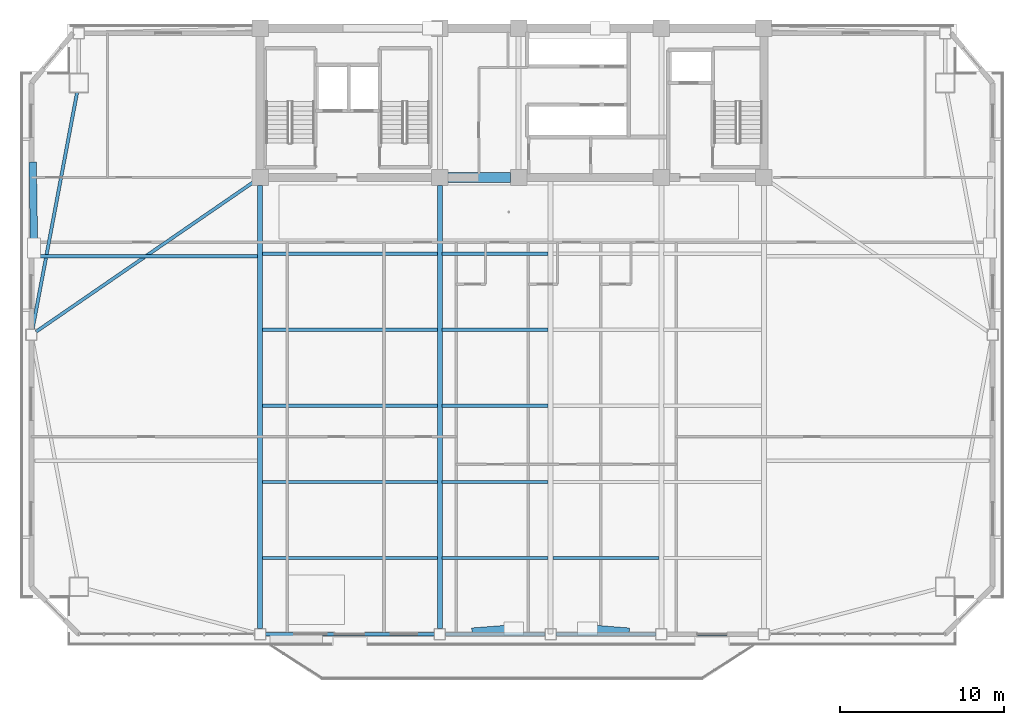
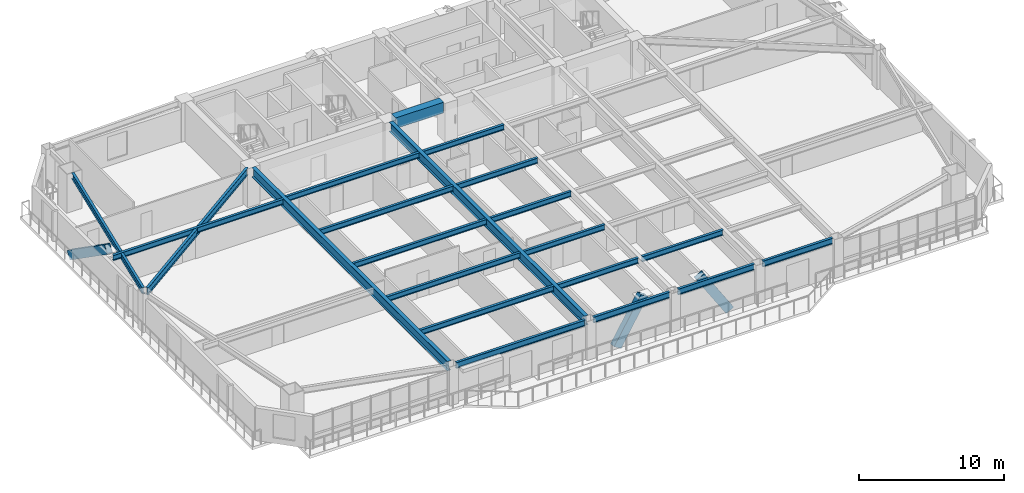
# One storey, part 3 of 15: 21 beams, 3 members.
"""IFC4 building model written with IfcOpenShell, lengths in metres."""

from ifc_helpers import new_model, si_unit, direction, frame, origin, origin_2d, place, context, subcontext, project, spatial, rectangle, hollow_rectangle, i_section, extrude, source, transform, mapped, material, material_profile, profile_set, type_object, element, save


model = new_model("IFC4")

# Units and contexts
model_context = context("Model", 3, precision=1e-05, world=origin(), true_north=direction((0.0, 1.0)))
body_context = subcontext(model_context, "Body", "Model", "MODEL_VIEW")
ifc_project = project(units=[si_unit("LENGTHUNIT", "METRE"), si_unit("AREAUNIT", "SQUARE_METRE"), si_unit("VOLUMEUNIT", "CUBIC_METRE"), si_unit("PLANEANGLEUNIT", "RADIAN"), si_unit("MASSUNIT", "GRAM", prefix="KILO")], contexts=[model_context])

# Site, building, storey
site_placement = place(None, origin())
site = spatial("IfcSite", under=ifc_project, at=site_placement, CompositionType="ELEMENT")
building_placement = place(site_placement, origin())
building = spatial("IfcBuilding", under=site, at=building_placement, Name="Giltprow Tower", CompositionType="ELEMENT")
storey_placement = place(building_placement, frame((0.0, 0.0, 173.699951171875)))
storey = spatial("IfcBuildingStorey", under=building, at=storey_placement, Name="L43", CompositionType="ELEMENT", Elevation=173.699951171875)

# Beams
ifc_material_1 = material(Name="Structural steel Q355B", Category="steel")
ifc_material_profile_1 = material_profile(ifc_material_1, i_section(OverallWidth=0.199951171875, OverallDepth=0.449951171875, WebThickness=0.009033203125, FlangeThickness=0.013916015625, at=origin_2d()), Name="HN 450x200x9x14")
ifc_profile_set_1 = profile_set([ifc_material_profile_1], Name="Structural steel Q355B")
beam_type_1 = type_object("IfcBeamType", Name="BM-JOIST-HN450", PredefinedType="JOIST", material=ifc_profile_set_1)
shared_shape_1 = source(origin(), body_context, "Body", "SweptSolid", [
    extrude(i_section(OverallWidth=0.199951171875, OverallDepth=0.449951171875, WebThickness=0.009033203125, FlangeThickness=0.013916015625, at=origin_2d()), origin(), (0.0, 0.0, 1.0), 10.659912109375),
])
for number, where, z_axis, x_axis, name in (
    (1, (19.9951171875, 14.262939453125, 3.045166015625), (1.0, 0.0, 0.0), (0.0, 1.0, 0.0), "L43 Composite Floor Joist 1-1"),
    (2, (19.9951171875, 18.90087890625, 3.045166015625), (1.0, 0.0, 0.0), (0.0, 1.0, 0.0), "L43 Composite Floor Joist 2-1"),
    (3, (19.9951171875, 23.5380859375, 3.045166015625), (1.0, 0.0, 0.0), (0.0, 1.0, 0.0), "L43 Composite Floor Joist 3-1"),
    (4, (19.9951171875, 28.175048828125, 3.045166015625), (1.0, 0.0, 0.0), (0.0, 1.0, 0.0), "L43 Composite Floor Joist 4-1"),
    (5, (19.9951171875, 32.81298828125, 3.045166015625), (1.0, 0.0, 0.0), (0.0, 1.0, 0.0), "L43 Composite Floor Joist 5-1"),
):
    element("IfcBeam", number, at=place(storey_placement, frame(where, z_axis=z_axis, x_axis=x_axis)), inside=storey, type_object=beam_type_1, Name=name, PredefinedType="JOIST", context=body_context, shape_type="MappedRepresentation", body=[
        mapped(shared_shape_1, transform((0.0, 0.0, 0.0), x_axis=(1.0, 0.0, 0.0), y_axis=(0.0, 1.0, 0.0), z_axis=(0.0, 0.0, 1.0), scale=1.0)),
    ])
shared_shape_2 = source(origin(), body_context, "Body", "SweptSolid", [
    extrude(i_section(OverallWidth=0.199951171875, OverallDepth=0.449951171875, WebThickness=0.009033203125, FlangeThickness=0.013916015625, at=origin_2d()), origin(), (0.0, 0.0, 1.0), 6.4599609375),
])
for number, where, z_axis, x_axis, name in (
    (6, (30.945068359375, 14.262939453125, 3.045166015625), (1.0, 0.0, 0.0), (0.0, 1.0, 0.0), "L43 Composite Floor Joist 1-2"),
    (7, (37.695068359375, 14.262939453125, 3.045166015625), (1.0, 0.0, 0.0), (0.0, 1.0, 0.0), "L43 Composite Floor Joist 1-3"),
    (8, (30.945068359375, 18.90087890625, 3.045166015625), (1.0, 0.0, 0.0), (0.0, 1.0, 0.0), "L43 Composite Floor Joist 2-2"),
    (9, (30.945068359375, 23.5380859375, 3.045166015625), (1.0, 0.0, 0.0), (0.0, 1.0, 0.0), "L43 Composite Floor Joist 3-2"),
    (10, (30.945068359375, 28.175048828125, 3.045166015625), (1.0, 0.0, 0.0), (0.0, 1.0, 0.0), "L43 Composite Floor Joist 4-2"),
    (11, (30.945068359375, 32.81298828125, 3.045166015625), (1.0, 0.0, 0.0), (0.0, 1.0, 0.0), "L43 Composite Floor Joist 5-2"),
):
    element("IfcBeam", number, at=place(storey_placement, frame(where, z_axis=z_axis, x_axis=x_axis)), inside=storey, type_object=beam_type_1, Name=name, PredefinedType="JOIST", context=body_context, shape_type="MappedRepresentation", body=[
        mapped(shared_shape_2, transform((0.0, 0.0, 0.0), x_axis=(1.0, 0.0, 0.0), y_axis=(0.0, 1.0, 0.0), z_axis=(0.0, 0.0, 1.0), scale=1.0)),
    ])
ifc_material_2 = material(Name="Concrete C50", Category="concrete")
ifc_material_profile_2 = material_profile(ifc_material_2, rectangle(XDim=0.60009765625, YDim=0.89990234375, at=origin_2d()), Name="RC 900x600")
ifc_profile_set_2 = profile_set([ifc_material_profile_2], Name="Concrete C50")
beam_type_2 = type_object("IfcBeamType", Name="BM-CPL-RC900", PredefinedType="LINTEL", material=ifc_profile_set_2)
shared_shape_3 = source(origin(), body_context, "Body", "SweptSolid", [
    extrude(rectangle(XDim=0.60009765625, YDim=0.89990234375, at=origin_2d()), origin(), (0.0, 0.0, 1.0), 3.830078125),
])
beam_1_placement = place(storey_placement, frame((31.284912109375, 37.449951171875, 2.820068359375), z_axis=(1.0, 0.0, 0.0), x_axis=(0.0, 1.0, 0.0)))
element("IfcBeam", 12, at=beam_1_placement, inside=storey, type_object=beam_type_2, Name="L43 Core Coupling Beam CB-1", PredefinedType="LINTEL", context=body_context, shape_type="MappedRepresentation", body=[
    mapped(shared_shape_3, transform((0.0, 0.0, 0.0), x_axis=(1.0, 0.0, 0.0), y_axis=(0.0, 1.0, 0.0), z_axis=(0.0, 0.0, 1.0), scale=1.0)),
])
shared_shape_4 = source(origin(), body_context, "Body", "SweptSolid", [
    extrude(i_section(OverallWidth=0.199951171875, OverallDepth=0.449951171875, WebThickness=0.009033203125, FlangeThickness=0.013916015625, at=origin_2d()), origin(), (0.0, 0.0, 1.0), 13.566162109375),
])
beam_2_placement = place(storey_placement, frame((6.138916015625, 32.656982421875, 3.045166015625), z_axis=(1.0, 0.0, 0.0), x_axis=(0.0, 1.0, 0.0)))
element("IfcBeam", 13, at=beam_2_placement, inside=storey, type_object=beam_type_1, Name="L43 West Wing Floor Joist 2", PredefinedType="JOIST", context=body_context, shape_type="MappedRepresentation", body=[
    mapped(shared_shape_4, transform((0.0, 0.0, 0.0), x_axis=(1.0, 0.0, 0.0), y_axis=(0.0, 1.0, 0.0), z_axis=(0.0, 0.0, 1.0), scale=1.0)),
])
ifc_material_profile_3 = material_profile(ifc_material_1, i_section(OverallWidth=0.199951171875, OverallDepth=0.5, WebThickness=0.010009765625, FlangeThickness=0.01611328125, at=origin_2d()), Name="HN 500x200x10x16")
ifc_profile_set_3 = profile_set([ifc_material_profile_3], Name="Structural steel Q355B")
beam_type_3 = type_object("IfcBeamType", Name="BM-SPAN-HN500", PredefinedType="SPANDREL", material=ifc_profile_set_3)
shared_shape_5 = source(origin(), body_context, "Body", "SweptSolid", [
    extrude(i_section(OverallWidth=0.199951171875, OverallDepth=0.5, WebThickness=0.010009765625, FlangeThickness=0.01611328125, at=origin_2d()), origin(), (0.0, 0.0, 1.0), 10.280029296875),
])
beam_3_placement = place(storey_placement, frame((20.18505859375, 9.6259765625, 3.02001953125), z_axis=(1.0, 0.0, 0.0), x_axis=(0.0, 1.0, 0.0)))
element("IfcBeam", 14, at=beam_3_placement, inside=storey, type_object=beam_type_3, Name="L43 Perimeter Spandrel Beam S1-S2", PredefinedType="SPANDREL", context=body_context, shape_type="MappedRepresentation", body=[
    mapped(shared_shape_5, transform((0.0, 0.0, 0.0), x_axis=(1.0, 0.0, 0.0), y_axis=(0.0, 1.0, 0.0), z_axis=(0.0, 0.0, 1.0), scale=1.0)),
])
shared_shape_6 = source(origin(), body_context, "Body", "SweptSolid", [
    extrude(i_section(OverallWidth=0.199951171875, OverallDepth=0.5, WebThickness=0.010009765625, FlangeThickness=0.01611328125, at=origin_2d()), origin(), (0.0, 0.0, 1.0), 6.080078125),
])
for number, where, z_axis, x_axis, name in (
    (15, (31.135009765625, 9.6259765625, 3.02001953125), (1.0, 0.0, 0.0), (0.0, 1.0, 0.0), "L43 Perimeter Spandrel Beam S2-S_MID"),
    (16, (37.885009765625, 9.6259765625, 3.02001953125), (1.0, 0.0, 0.0), (0.0, 1.0, 0.0), "L43 Perimeter Spandrel Beam S_MID-S3"),
):
    element("IfcBeam", number, at=place(storey_placement, frame(where, z_axis=z_axis, x_axis=x_axis)), inside=storey, type_object=beam_type_3, Name=name, PredefinedType="SPANDREL", context=body_context, shape_type="MappedRepresentation", body=[
        mapped(shared_shape_6, transform((0.0, 0.0, 0.0), x_axis=(1.0, 0.0, 0.0), y_axis=(0.0, 1.0, 0.0), z_axis=(0.0, 0.0, 1.0), scale=1.0)),
    ])
shared_shape_7 = source(origin(), body_context, "Body", "SweptSolid", [
    extrude(i_section(OverallWidth=0.199951171875, OverallDepth=0.5, WebThickness=0.010009765625, FlangeThickness=0.01611328125, at=origin_2d()), origin(), (0.0, 0.0, 1.0), 5.580078125),
])
beam_4_placement = place(storey_placement, frame((44.635009765625, 9.6259765625, 3.02001953125), z_axis=(1.0, 0.0, 0.0), x_axis=(0.0, 1.0, 0.0)))
element("IfcBeam", 17, at=beam_4_placement, inside=storey, type_object=beam_type_3, Name="L43 Perimeter Spandrel Beam S3-S4", PredefinedType="SPANDREL", context=body_context, shape_type="MappedRepresentation", body=[
    mapped(shared_shape_7, transform((0.0, 0.0, 0.0), x_axis=(1.0, 0.0, 0.0), y_axis=(0.0, 1.0, 0.0), z_axis=(0.0, 0.0, 1.0), scale=1.0)),
])
shared_shape_8 = source(origin(), body_context, "Body", "SweptSolid", [
    extrude(i_section(OverallWidth=0.199951171875, OverallDepth=0.5, WebThickness=0.010009765625, FlangeThickness=0.01611328125, at=origin_2d()), origin(), (0.0, 0.0, 1.0), 14.69921875),
])
beam_5_placement = place(storey_placement, frame((8.697998046875, 42.637939453125, 3.02001953125), z_axis=(-0.184841051364, -0.982768429352, 0.0), x_axis=(0.982768429352, -0.184841051364, 0.0)))
element("IfcBeam", 18, at=beam_5_placement, inside=storey, type_object=beam_type_3, Name="L43 Perimeter Spandrel Beam MC_NW-W_MID", PredefinedType="SPANDREL", context=body_context, shape_type="MappedRepresentation", body=[
    mapped(shared_shape_8, transform((0.0, 0.0, 0.0), x_axis=(1.0, 0.0, 0.0), y_axis=(0.0, 1.0, 0.0), z_axis=(0.0, 0.0, 1.0), scale=1.0)),
])
ifc_material_profile_4 = material_profile(ifc_material_1, i_section(OverallWidth=0.300048828125, OverallDepth=0.800048828125, WebThickness=0.013916015625, FlangeThickness=0.02587890625, at=origin_2d()), Name="HN 800x300x14x26")
ifc_profile_set_4 = profile_set([ifc_material_profile_4], Name="Structural steel Q355B")
beam_type_4 = type_object("IfcBeamType", Name="BM-GIRD-HN800", PredefinedType="BEAM", material=ifc_profile_set_4)
shared_shape_9 = source(origin(), body_context, "Body", "SweptSolid", [
    extrude(i_section(OverallWidth=0.300048828125, OverallDepth=0.800048828125, WebThickness=0.013916015625, FlangeThickness=0.02587890625, at=origin_2d()), origin(), (0.0, 0.0, 1.0), 27.004150390625),
])
for number, where, z_axis, x_axis, name in (
    (19, (19.85009765625, 9.9609375, 2.8701171875), (0.0, 1.0, 0.0), (-1.0, 0.0, 0.0), "L43 Primary Lease Girder S1"),
    (20, (30.800048828125, 9.9609375, 2.8701171875), (0.0, 1.0, 0.0), (-1.0, 0.0, 0.0), "L43 Primary Lease Girder S2"),
):
    element("IfcBeam", number, at=place(storey_placement, frame(where, z_axis=z_axis, x_axis=x_axis)), inside=storey, type_object=beam_type_4, Name=name, PredefinedType="BEAM", context=body_context, shape_type="MappedRepresentation", body=[
        mapped(shared_shape_9, transform((0.0, 0.0, 0.0), x_axis=(1.0, 0.0, 0.0), y_axis=(0.0, 1.0, 0.0), z_axis=(0.0, 0.0, 1.0), scale=1.0)),
    ])
ifc_material_profile_5 = material_profile(ifc_material_1, i_section(OverallWidth=0.199951171875, OverallDepth=0.60009765625, WebThickness=0.010986328125, FlangeThickness=0.01708984375, at=origin_2d()), Name="HN 600x200x11x17")
ifc_profile_set_5 = profile_set([ifc_material_profile_5], Name="Structural steel Q355B")
beam_type_5 = type_object("IfcBeamType", Name="BM-GIRD-HN600", PredefinedType="BEAM", material=ifc_profile_set_5)
shared_shape_10 = source(origin(), body_context, "Body", "SweptSolid", [
    extrude(i_section(OverallWidth=0.199951171875, OverallDepth=0.60009765625, WebThickness=0.010986328125, FlangeThickness=0.01708984375, at=origin_2d()), origin(), (0.0, 0.0, 1.0), 16.090576171875),
])
beam_6_placement = place(storey_placement, frame((6.195068359375, 28.052978515625, 2.969970703125), z_axis=(0.823770889818, 0.566922852854, 0.0), x_axis=(-0.566922852854, 0.823770889818, 0.0)))
element("IfcBeam", 21, at=beam_6_placement, inside=storey, type_object=beam_type_5, Name="L43 West Wing Primary Girder", PredefinedType="BEAM", context=body_context, shape_type="MappedRepresentation", body=[
    mapped(shared_shape_10, transform((0.0, 0.0, 0.0), x_axis=(1.0, 0.0, 0.0), y_axis=(0.0, 1.0, 0.0), z_axis=(0.0, 0.0, 1.0), scale=1.0)),
])

# Members
ifc_material_3 = material(Name="Structural steel Q420GJC", Category="steel")
ifc_material_profile_6 = material_profile(ifc_material_3, hollow_rectangle(XDim=0.449951171875, YDim=0.699951171875, WallThickness=0.031982421875, at=origin_2d()), Name="RHS 700x450x32")
ifc_profile_set_6 = profile_set([ifc_material_profile_6], Name="Structural steel Q420GJC")
member_type = type_object("IfcMemberType", Name="MBR-MEGA-RHS700", PredefinedType="BRACE", material=ifc_profile_set_6)
shared_shape_11 = source(origin(), body_context, "Body", "SweptSolid", [
    extrude(hollow_rectangle(XDim=0.449951171875, YDim=0.699951171875, WallThickness=0.031982421875, at=origin_2d()), origin(), (0.0, 0.0, 1.0), 4.16455078125),
])
for number, where, z_axis, x_axis, name in (
    (22, (33.050048828125, 9.802001953125, 0.0), (0.540274331149, 0.042267555638, 0.840426737343), (-0.077995186993, 0.996953735539, 0.0), "L43 Chevron Mega-Brace S-L"),
    (23, (42.050048828125, 9.802001953125, 0.0), (-0.540274331149, 0.042267555638, 0.840426737343), (-0.077995186993, -0.996953735539, 0.0), "L43 Chevron Mega-Brace S-R"),
):
    element("IfcMember", number, at=place(storey_placement, frame(where, z_axis=z_axis, x_axis=x_axis)), inside=storey, type_object=member_type, Name=name, PredefinedType="BRACE", context=body_context, shape_type="MappedRepresentation", body=[
        mapped(shared_shape_11, transform((0.0, 0.0, 0.0), x_axis=(1.0, 0.0, 0.0), y_axis=(0.0, 1.0, 0.0), z_axis=(0.0, 0.0, 1.0), scale=1.0)),
    ])
shared_shape_12 = source(origin(), body_context, "Body", "SweptSolid", [
    extrude(hollow_rectangle(XDim=0.449951171875, YDim=0.699951171875, WallThickness=0.031982421875, at=origin_2d()), origin(), (0.0, 0.0, 1.0), 6.126708984375),
])
member_placement = place(storey_placement, frame((5.9970703125, 38.18408203125, 0.0), z_axis=(0.012870883183, -0.820668232677, 0.571260004062), x_axis=(0.999877037878, 0.015681489839, 0.0)))
element("IfcMember", 24, at=member_placement, inside=storey, type_object=member_type, Name="L43 Chevron Mega-Brace W-R", PredefinedType="BRACE", context=body_context, shape_type="MappedRepresentation", body=[
    mapped(shared_shape_12, transform((0.0, 0.0, 0.0), x_axis=(1.0, 0.0, 0.0), y_axis=(0.0, 1.0, 0.0), z_axis=(0.0, 0.0, 1.0), scale=1.0)),
])

save(model, "model.ifc")
